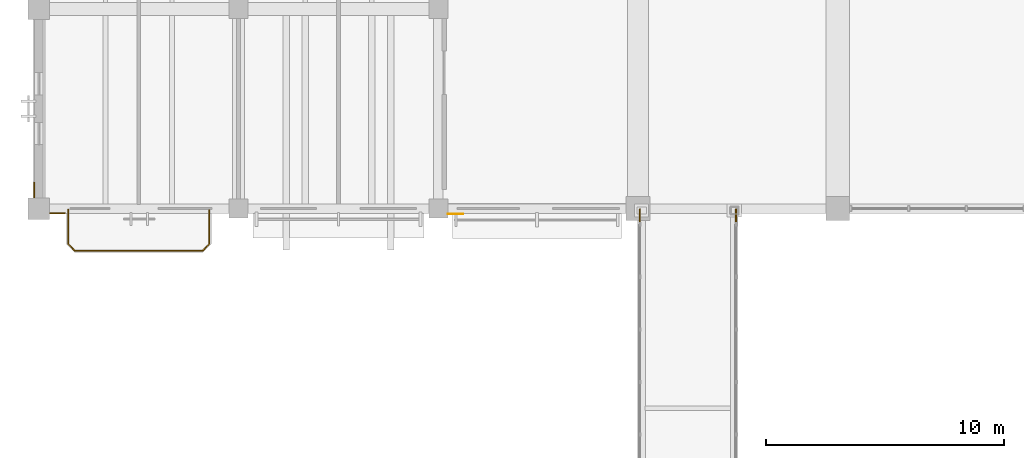
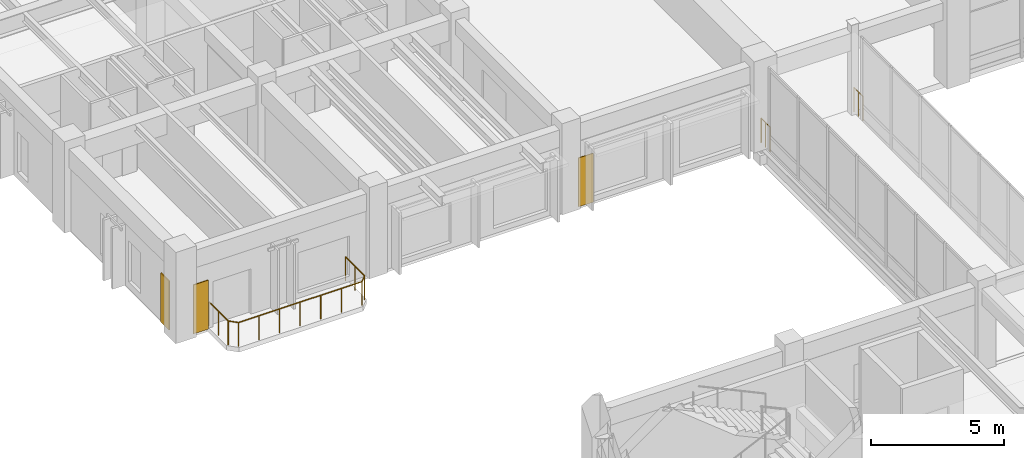
# One storey, part 113 of 132: 3 coverings, 3 railings.
"""IFC4 building model written with IfcOpenShell, lengths in metres."""

from ifc_helpers import new_model, si_unit, direction, frame, origin, origin_2d, place, context, subcontext, project, spatial, polyline, circle, outline, extrude, material, layer, layer_set, type_object, element, save


model = new_model("IFC4")

# Units and contexts
model_context = context("Model", 3, precision=1e-05, world=origin(), true_north=direction((0.0, 1.0)))
body_context = subcontext(model_context, "Body", "Model", "MODEL_VIEW")
ifc_project = project(units=[si_unit("LENGTHUNIT", "METRE"), si_unit("AREAUNIT", "SQUARE_METRE"), si_unit("VOLUMEUNIT", "CUBIC_METRE"), si_unit("PLANEANGLEUNIT", "RADIAN"), si_unit("MASSUNIT", "GRAM", prefix="KILO")], contexts=[model_context])

# Site, building, storey
site_placement = place(None, origin())
site = spatial("IfcSite", under=ifc_project, at=site_placement, CompositionType="ELEMENT")
building_placement = place(site_placement, origin())
building = spatial("IfcBuilding", under=site, at=building_placement, Name="Cumbredor Promenade Congress Hotel", CompositionType="ELEMENT")
storey_placement = place(building_placement, frame((0.0, 0.0, 7.56005859375)))
storey = spatial("IfcBuildingStorey", under=building, at=storey_placement, Name="L02", CompositionType="ELEMENT", Elevation=7.56005859375)

# Coverings
ifc_material_1 = material(Name="Precast concrete C40/50", Category="concrete")
ifc_layer_1 = layer(ifc_material_1, 0.044921875, Name="Precast concrete C40/50", Category="concrete")
ifc_layer_set_1 = layer_set([ifc_layer_1], Name="Precast concrete C40/50")
covering_type_1 = type_object("IfcCoveringType", Name="Board-Formed Architectural Cladding Panel 45mm", PredefinedType="CLADDING", material=ifc_layer_set_1)
covering_1_placement = place(storey_placement, origin())
element("IfcCovering", 1, at=covering_1_placement, inside=storey, type_object=covering_type_1, Name="L02 Facade Stone Cladding Pier 120", PredefinedType="CLADDING", context=body_context, shape_type="SweptSolid", body=[
    extrude(outline(polyline([(0.450927734375, 83.824951171875), (1.10107421875, 83.824951171875), (1.10107421875, 83.780029296875), (0.450927734375, 83.780029296875), (0.450927734375, 83.824951171875)])), origin(), (0.0, 0.0, 1.0), 2.25),
])
covering_2_placement = place(storey_placement, origin())
element("IfcCovering", 2, at=covering_2_placement, inside=storey, type_object=covering_type_1, Name="L02 Facade Stone Cladding Pier 128", PredefinedType="CLADDING", context=body_context, shape_type="SweptSolid", body=[
    extrude(outline(polyline([(-0.175048828125, 84.450927734375), (-0.175048828125, 85.10107421875), (-0.219970703125, 85.10107421875), (-0.219970703125, 84.450927734375), (-0.175048828125, 84.450927734375)])), origin(), (0.0, 0.0, 1.0), 2.25),
])

# Railings
ifc_material_2 = material(Name="Brushed stainless steel", Category="steel")
railing_type_1 = type_object("IfcRailingType", Name="Sky Garden Glass-and-Steel Balustrade BAL-1150", PredefinedType="BALUSTRADE", material=ifc_material_2)
for number, where, name in (
    (3, (25.280029296875, 83.300048828125, 0.0), "L02 West Congress-to-Hotel Glazed Bridge End Guardrail NW"),
    (4, (29.320068359375, 83.300048828125, 0.0), "L02 West Congress-to-Hotel Glazed Bridge End Guardrail NE"),
):
    element("IfcRailing", number, at=place(storey_placement, frame(where)), inside=storey, type_object=railing_type_1, Name=name, PredefinedType="BALUSTRADE", context=body_context, shape_type="SweptSolid", body=[
        extrude(circle(Radius=0.02392578125, at=origin_2d()), frame((0.0, 0.0, 1.1259765625), z_axis=(0.0, 1.0, 0.0), x_axis=(-1.0, 0.0, 0.0)), (0.0, 0.0, 1.0), 0.669921875),
        extrude(circle(Radius=0.02099609375, at=origin_2d()), origin(), (0.0, 0.0, 1.0), 1.101806640625),
        extrude(circle(Radius=0.02099609375, at=origin_2d()), frame((0.0, 0.3349609375, 0.0)), (0.0, 0.0, 1.0), 1.101806640625),
        extrude(circle(Radius=0.02099609375, at=origin_2d()), frame((0.0, 0.669921875, 0.0)), (0.0, 0.0, 1.0), 1.101806640625),
    ])
railing_type_2 = type_object("IfcRailingType", Name="Terrace Perimeter Balustrade BAL-1120", PredefinedType="BALUSTRADE", material=ifc_material_2)
railing_placement = place(storey_placement, frame((1.22998046875, 83.949951171875, 0.0)))
element("IfcRailing", 5, at=railing_placement, inside=storey, type_object=railing_type_2, Name="L02 Veranda Balcony Balustrade 009", PredefinedType="BALUSTRADE", context=body_context, shape_type="SweptSolid", body=[
    extrude(circle(Radius=0.02392578125, at=origin_2d()), frame((0.0, 0.0, 1.09619140625), z_axis=(0.0, -1.0, 0.0), x_axis=(1.0, 0.0, 0.0)), (0.0, 0.0, 1.0), 1.43994140625),
    extrude(circle(Radius=0.02392578125, at=origin_2d()), frame((0.0, -1.43994140625, 1.09619140625), z_axis=(0.707106781187, -0.707106781187, 0.0), x_axis=(0.707106781187, 0.707106781187, 0.0)), (0.0, 0.0, 1.0), 0.39599609375),
    extrude(circle(Radius=0.02392578125, at=origin_2d()), frame((0.280029296875, -1.719970703125, 1.09619140625), z_axis=(1.0, 0.0, 0.0), x_axis=(0.0, 1.0, 0.0)), (0.0, 0.0, 1.0), 5.3798828125),
    extrude(circle(Radius=0.02392578125, at=origin_2d()), frame((5.659912109375, -1.719970703125, 1.09619140625), z_axis=(0.707106781187, 0.707106781187, 0.0), x_axis=(-0.707106781187, 0.707106781187, 0.0)), (0.0, 0.0, 1.0), 0.39599609375),
    extrude(circle(Radius=0.02392578125, at=origin_2d()), frame((5.93994140625, -1.43994140625, 1.09619140625), z_axis=(0.0, 1.0, 0.0), x_axis=(-1.0, 0.0, 0.0)), (0.0, 0.0, 1.0), 1.43994140625),
    extrude(circle(Radius=0.02099609375, at=origin_2d()), origin(), (0.0, 0.0, 1.0), 1.072021484375),
    extrude(circle(Radius=0.02099609375, at=origin_2d()), frame((0.0, -0.719970703125, 0.0)), (0.0, 0.0, 1.0), 1.072021484375),
    extrude(circle(Radius=0.02099609375, at=origin_2d()), frame((0.0, -1.43994140625, 0.0)), (0.0, 0.0, 1.0), 1.072021484375),
    extrude(circle(Radius=0.02099609375, at=origin_2d()), frame((0.280029296875, -1.719970703125, 0.0)), (0.0, 0.0, 1.0), 1.072021484375),
    extrude(circle(Radius=0.02099609375, at=origin_2d()), frame((1.1767578125, -1.719970703125, 0.0)), (0.0, 0.0, 1.0), 1.072021484375),
    extrude(circle(Radius=0.02099609375, at=origin_2d()), frame((2.0732421875, -1.719970703125, 0.0)), (0.0, 0.0, 1.0), 1.072021484375),
    extrude(circle(Radius=0.02099609375, at=origin_2d()), frame((2.969970703125, -1.719970703125, 0.0)), (0.0, 0.0, 1.0), 1.072021484375),
    extrude(circle(Radius=0.02099609375, at=origin_2d()), frame((3.86669921875, -1.719970703125, 0.0)), (0.0, 0.0, 1.0), 1.072021484375),
    extrude(circle(Radius=0.02099609375, at=origin_2d()), frame((4.76318359375, -1.719970703125, 0.0)), (0.0, 0.0, 1.0), 1.072021484375),
    extrude(circle(Radius=0.02099609375, at=origin_2d()), frame((5.659912109375, -1.719970703125, 0.0)), (0.0, 0.0, 1.0), 1.072021484375),
    extrude(circle(Radius=0.02099609375, at=origin_2d()), frame((5.93994140625, -1.43994140625, 0.0)), (0.0, 0.0, 1.0), 1.072021484375),
    extrude(circle(Radius=0.02099609375, at=origin_2d()), frame((5.93994140625, -0.719970703125, 0.0)), (0.0, 0.0, 1.0), 1.072021484375),
    extrude(circle(Radius=0.02099609375, at=origin_2d()), frame((5.93994140625, 0.0, 0.0)), (0.0, 0.0, 1.0), 1.072021484375),
])

# Covering
ifc_material_3 = material(Name="Volcanic andesite ashlar cladding", Category="masonry")
ifc_layer_2 = layer(ifc_material_3, 0.034912109375, Name="Volcanic andesite ashlar cladding", Category="masonry")
ifc_layer_set_2 = layer_set([ifc_layer_2], Name="Volcanic andesite ashlar cladding")
covering_type_2 = type_object("IfcCoveringType", Name="Volcanic Andesite Ashlar Rainscreen Cladding 35mm", PredefinedType="CLADDING", material=ifc_layer_set_2)
covering_3_placement = place(storey_placement, origin())
element("IfcCovering", 6, at=covering_3_placement, inside=storey, type_object=covering_type_2, Name="L02 Facade Stone Cladding Pier 121", PredefinedType="CLADDING", context=body_context, shape_type="SweptSolid", body=[
    extrude(outline(polyline([(17.200927734375, 83.78759765625), (17.85107421875, 83.78759765625), (17.85107421875, 83.75244140625), (17.200927734375, 83.75244140625), (17.200927734375, 83.78759765625)])), origin(), (0.0, 0.0, 1.0), 2.25),
])

save(model, "model.ifc")
